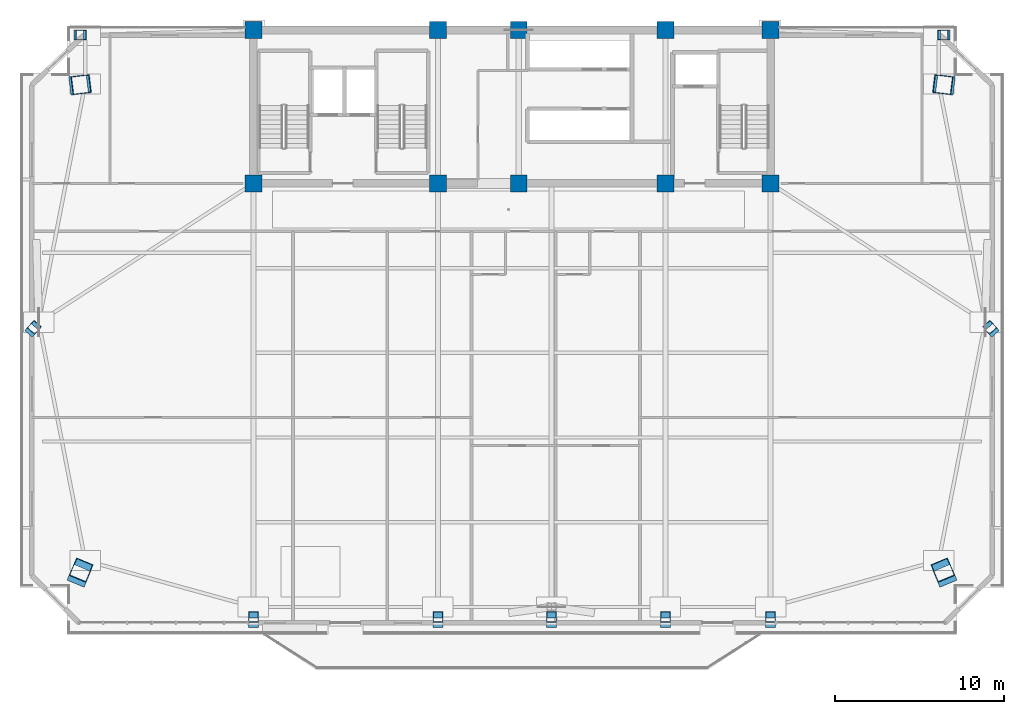
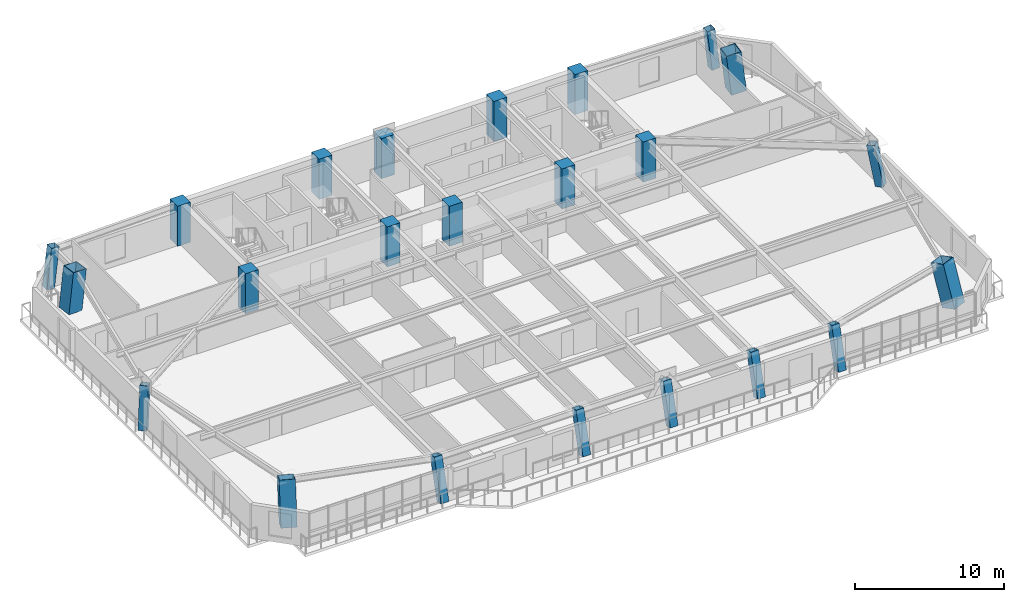
# One storey, part 1 of 16: 23 columns.
"""IFC4 building model written with IfcOpenShell, lengths in metres."""

import ifcopenshell
import ifcopenshell.guid

model = None  # the IFC model being written
_history = None  # IfcOwnerHistory: only IFC2X3 demands one
_inside = {}  # id of a spatial element -> (the spatial element, [elements in it])
_under = {}  # id of a project, library or spatial element -> (it, [spatial elements below it])
_declared = {}  # id of a project -> (the project, [libraries it declares])
_typed = {}  # id of a type object -> (the type object, [elements of that type])
_made_of = {}  # id of a material, layer set ... -> (it, [elements and type objects made of it])


def new_model(schema):
    """Start an empty IFC model of exactly this schema.

    Asked for "IFC4X3", IfcOpenShell would pick the latest addendum, in which some entities
    have other attributes; the version numbers below select the first issue.
    IFC2X3 requires an IfcOwnerHistory on every rooted entity: one is made here for all.
    """
    global model, _history
    if schema == "IFC4X3":
        model = ifcopenshell.file(schema_version=(4, 3, 0, 0))
    else:
        model = ifcopenshell.file(schema=schema)
    _inside.clear()
    _under.clear()
    _declared.clear()
    _typed.clear()
    _made_of.clear()
    _history = None
    if model.schema == "IFC2X3":
        org = make("IfcOrganization", Name="unknown")
        user = make(
            "IfcPersonAndOrganization",
            ThePerson=make("IfcPerson", FamilyName="unknown"),
            TheOrganization=org,
        )
        app = make(
            "IfcApplication",
            ApplicationDeveloper=org,
            Version="unknown",
            ApplicationFullName="unknown",
            ApplicationIdentifier="unknown",
        )
        _history = make(
            "IfcOwnerHistory",
            OwningUser=user,
            OwningApplication=app,
            ChangeAction="ADDED",
            CreationDate=0,
        )
    return model


def make(cls, **values):
    """One entity of the class cls with the attributes given. An attribute that is None is left unset."""
    return model.create_entity(
        cls, **{name: value for name, value in values.items() if value is not None}
    )


def rooted(cls, **values):
    """An entity with a GlobalId (a new one), such as an element, a storey or a relation."""
    return make(cls, GlobalId=ifcopenshell.guid.new(), OwnerHistory=_history, **values)


def si_unit(unit_type, name, prefix=None):
    """IfcSIUnit, for example si_unit("LENGTHUNIT", "METRE", prefix="MILLI")."""
    return make("IfcSIUnit", UnitType=unit_type, Prefix=prefix, Name=name)


def assignment(units):
    """IfcUnitAssignment: the units of a project."""
    return None if units is None else make("IfcUnitAssignment", Units=units)


def point(xyz):
    """IfcCartesianPoint."""
    return None if xyz is None else make("IfcCartesianPoint", Coordinates=xyz)


def direction(xyz):
    """IfcDirection."""
    return None if xyz is None else make("IfcDirection", DirectionRatios=xyz)


def frame(location, z_axis=None, x_axis=None):
    """IfcAxis2Placement3D, a coordinate frame: its origin and axes. An axis left out is left unset."""
    return make(
        "IfcAxis2Placement3D",
        Location=point(location),
        Axis=direction(z_axis),
        RefDirection=direction(x_axis),
    )


def frame_2d(location, x_axis=None):
    """IfcAxis2Placement2D, a coordinate frame in the plane: its origin and x axis."""
    return make(
        "IfcAxis2Placement2D", Location=point(location), RefDirection=direction(x_axis)
    )


def origin():
    """The frame at (0, 0, 0) with its axes left unset."""
    return frame((0.0, 0.0, 0.0))


def origin_2d():
    """The frame at (0, 0) in the plane with its x axis left unset."""
    return frame_2d((0.0, 0.0))


def place(relative_to, where):
    """IfcLocalPlacement: puts the frame where relative to a parent placement (None: the world)."""
    return make(
        "IfcLocalPlacement", PlacementRelTo=relative_to, RelativePlacement=where
    )


def context(
    kind, dimensions, precision=None, world=None, true_north=None, identifier=None
):
    """IfcGeometricRepresentationContext, for example the 3D "Model" context."""
    return make(
        "IfcGeometricRepresentationContext",
        ContextIdentifier=identifier,
        ContextType=kind,
        CoordinateSpaceDimension=dimensions,
        Precision=precision,
        WorldCoordinateSystem=world,
        TrueNorth=true_north,
    )


def subcontext(parent, identifier, kind, view, scale=None):
    """IfcGeometricRepresentationSubContext, for example "Body" below "Model"."""
    return make(
        "IfcGeometricRepresentationSubContext",
        ContextIdentifier=identifier,
        ContextType=kind,
        ParentContext=parent,
        TargetScale=scale,
        TargetView=view,
    )


def project(units=None, contexts=None):
    """IfcProject with its units and contexts."""
    return rooted(
        "IfcProject",
        Name="project",
        RepresentationContexts=contexts,
        UnitsInContext=assignment(units),
    )


def spatial(cls, under=None, at=None, **own):
    """A site, building, storey or space (cls), placed at a placement, below another one or the project."""
    s = rooted(cls, ObjectPlacement=at, **own)
    if under is not None:
        _under.setdefault(under.id(), (under, []))[1].append(s)
    return s


def profile(cls, at=None, kind="AREA", **sizes):
    """A parametric profile (cls). Its sizes go by their IFC names, for example OverallWidth=200.0."""
    return make(cls, ProfileType=kind, Position=at, **sizes)


def rectangle(**sizes):
    """IfcRectangleProfileDef."""
    return profile("IfcRectangleProfileDef", **sizes)


def hollow_rectangle(**sizes):
    """IfcRectangleHollowProfileDef."""
    return profile("IfcRectangleHollowProfileDef", **sizes)


def extrude(swept, where, along, depth):
    """IfcExtrudedAreaSolid: the profile swept, set in the frame where, extruded along a direction by depth."""
    return make(
        "IfcExtrudedAreaSolid",
        SweptArea=swept,
        Position=where,
        ExtrudedDirection=direction(along),
        Depth=depth,
    )


def shape(context_of_items, identifier, shape_type, items):
    """IfcShapeRepresentation: the items that make up one representation, for example the "Body"."""
    return make(
        "IfcShapeRepresentation",
        ContextOfItems=context_of_items,
        RepresentationIdentifier=identifier,
        RepresentationType=shape_type,
        Items=items,
    )


def source(mapping_origin, context_of_items, identifier, shape_type, items):
    """IfcRepresentationMap: a shape defined once, which mapped items show again and again."""
    return make(
        "IfcRepresentationMap",
        MappingOrigin=mapping_origin,
        MappedRepresentation=shape(context_of_items, identifier, shape_type, items),
    )


def transform(
    local_origin,
    x_axis=None,
    y_axis=None,
    z_axis=None,
    scale=None,
    scale2=None,
    scale3=None,
    uniform=True,
):
    """IfcCartesianTransformationOperator3D, or its non-uniform kind. x_axis, y_axis, z_axis: its Axis1, 2, 3."""
    if uniform:
        return make(
            "IfcCartesianTransformationOperator3D",
            Axis1=direction(x_axis),
            Axis2=direction(y_axis),
            LocalOrigin=point(local_origin),
            Scale=scale,
            Axis3=direction(z_axis),
        )
    return make(
        "IfcCartesianTransformationOperator3DnonUniform",
        Axis1=direction(x_axis),
        Axis2=direction(y_axis),
        LocalOrigin=point(local_origin),
        Scale=scale,
        Axis3=direction(z_axis),
        Scale2=scale2,
        Scale3=scale3,
    )


def mapped(mapping_source, mapping_target):
    """IfcMappedItem: shows the shape of a source again, moved by a transform."""
    return make(
        "IfcMappedItem", MappingSource=mapping_source, MappingTarget=mapping_target
    )


def material(Name=None, Category=None):
    """IfcMaterial."""
    return make("IfcMaterial", Name=Name, Category=Category)


def material_profile(
    of_material, cross_section, Name=None, Category=None, Priority=None
):
    """IfcMaterialProfile: a cross section and its material."""
    return make(
        "IfcMaterialProfile",
        Name=Name,
        Material=of_material,
        Profile=cross_section,
        Priority=Priority,
        Category=Category,
    )


def profile_set(profiles, Name=None, composite=None):
    """IfcMaterialProfileSet."""
    return make(
        "IfcMaterialProfileSet",
        Name=Name,
        MaterialProfiles=profiles,
        CompositeProfile=composite,
    )


def made_of(thing, what):
    """Note that an element or type object is made of a material, layer set ...; save() writes the relation."""
    if what is not None:
        _made_of.setdefault(what.id(), (what, []))[1].append(thing)
    return thing


def type_object(cls, material=None, **own):
    """A type object (cls), such as IfcWallType, which elements share."""
    return made_of(rooted(cls, **own), material)


def element(
    cls,
    number,
    at=None,
    inside=None,
    cuts=None,
    type_object=None,
    material=None,
    context=None,
    identifier="Body",
    shape_type=None,
    held_by="IfcProductDefinitionShape",
    body=None,
    shapes=None,
    **own,
):
    """One element of the class cls, such as IfcWall. Its Tag is "e" and its number.

    at: its placement. inside: the storey or other place that contains it. cuts: it is an
    opening in that element (IfcRelVoidsElement). A single representation is given by context,
    identifier, shape_type and body (its items); several are given by shapes. held_by: the class
    of the entity that holds the representations. save() writes the other relations.
    """
    e = rooted(cls, Tag="e%d" % number, ObjectPlacement=at, **own)
    if body is not None:
        shapes = [shape(context, identifier, shape_type, body)]
    if shapes is not None:
        e.Representation = make(held_by, Representations=shapes)
    if inside is not None:
        _inside.setdefault(inside.id(), (inside, []))[1].append(e)
    if cuts is not None:
        rooted(
            "IfcRelVoidsElement", RelatingBuildingElement=cuts, RelatedOpeningElement=e
        )
    if type_object is not None:
        _typed.setdefault(type_object.id(), (type_object, []))[1].append(e)
    return made_of(e, material)


def aggregate(whole, parts):
    """IfcRelAggregates: a whole, such as a stair, and the parts it consists of."""
    return rooted("IfcRelAggregates", RelatingObject=whole, RelatedObjects=parts)


def save(model, path):
    """Write the relations noted so far, then the file.

    IfcRelAggregates (storeys below a building ...), IfcRelContainedInSpatialStructure (elements
    in a storey), IfcRelDefinesByType, IfcRelAssociatesMaterial and IfcRelDeclares: one each for
    every whole, place, type object, material and project.
    """
    for whole, parts in _under.values():
        aggregate(whole, parts)
    for where, things in _inside.values():
        rooted(
            "IfcRelContainedInSpatialStructure",
            RelatedElements=things,
            RelatingStructure=where,
        )
    for kind, things in _typed.values():
        rooted("IfcRelDefinesByType", RelatedObjects=things, RelatingType=kind)
    for what, things in _made_of.values():
        rooted("IfcRelAssociatesMaterial", RelatedObjects=things, RelatingMaterial=what)
    for by, libraries in _declared.values():
        rooted("IfcRelDeclares", RelatingContext=by, RelatedDefinitions=libraries)
    model.write(path)


model = new_model("IFC4")

# Units and contexts
model_context = context("Model", 3, precision=1e-05, world=origin(), true_north=direction((0.0, 1.0)))
body_context = subcontext(model_context, "Body", "Model", "MODEL_VIEW")
ifc_project = project(units=[si_unit("LENGTHUNIT", "METRE"), si_unit("AREAUNIT", "SQUARE_METRE"), si_unit("VOLUMEUNIT", "CUBIC_METRE"), si_unit("PLANEANGLEUNIT", "RADIAN"), si_unit("MASSUNIT", "GRAM", prefix="KILO")], contexts=[model_context])

# Site, building, storey
site_placement = place(None, origin())
site = spatial("IfcSite", under=ifc_project, at=site_placement, CompositionType="ELEMENT")
building_placement = place(site_placement, origin())
building = spatial("IfcBuilding", under=site, at=building_placement, Name="Giltprow Tower", CompositionType="ELEMENT")
storey_placement = place(building_placement, frame((0.0, 0.0, 209.699951171875)))
storey = spatial("IfcBuildingStorey", under=building, at=storey_placement, Name="L53", CompositionType="ELEMENT", Elevation=209.699951171875)

# Columns
ifc_material_1 = material(Name="Concrete C50", Category="concrete")
ifc_material_profile_1 = material_profile(ifc_material_1, rectangle(XDim=1.0, YDim=1.0, at=origin_2d()), Name="RC 1000x1000")
ifc_profile_set_1 = profile_set([ifc_material_profile_1], Name="Concrete C50")
column_type_1 = type_object("IfcColumnType", Name="PIL-RC-1000-C50", PredefinedType="PILASTER", material=ifc_profile_set_1)
shared_shape_1 = source(origin(), body_context, "Body", "SweptSolid", [
    extrude(rectangle(XDim=1.0, YDim=1.0, at=origin_2d()), origin(), (0.0, 0.0, 1.0), 3.27001953125),
])
for number, where, z_axis, x_axis, name in (
    (1, (19.85009765625, 37.449951171875, 0.0), (0.0, 0.0, 1.0), (1.0, 0.0, 0.0), "L53 Core Boundary Pilaster 1-1"),
    (2, (19.85009765625, 46.550048828125, 0.0), (0.0, 0.0, 1.0), (1.0, 0.0, 0.0), "L53 Core Boundary Pilaster 1-2"),
    (3, (30.800048828125, 37.449951171875, 0.0), (0.0, 0.0, 1.0), (1.0, 0.0, 0.0), "L53 Core Boundary Pilaster 2-1"),
    (4, (30.800048828125, 46.550048828125, 0.0), (0.0, 0.0, 1.0), (1.0, 0.0, 0.0), "L53 Core Boundary Pilaster 2-2"),
    (5, (35.60009765625, 37.449951171875, 0.0), (0.0, 0.0, 1.0), (1.0, 0.0, 0.0), "L53 Core Boundary Pilaster 3-1"),
    (6, (35.60009765625, 46.550048828125, 0.0), (0.0, 0.0, 1.0), (1.0, 0.0, 0.0), "L53 Core Boundary Pilaster 3-2"),
    (7, (44.300048828125, 37.449951171875, 0.0), (0.0, 0.0, 1.0), (1.0, 0.0, 0.0), "L53 Core Boundary Pilaster 4-1"),
    (8, (44.300048828125, 46.550048828125, 0.0), (0.0, 0.0, 1.0), (1.0, 0.0, 0.0), "L53 Core Boundary Pilaster 4-2"),
    (9, (50.550048828125, 37.449951171875, 0.0), (0.0, 0.0, 1.0), (1.0, 0.0, 0.0), "L53 Core Boundary Pilaster 5-1"),
    (10, (50.550048828125, 46.550048828125, 0.0), (0.0, 0.0, 1.0), (1.0, 0.0, 0.0), "L53 Core Boundary Pilaster 5-2"),
):
    element("IfcColumn", number, at=place(storey_placement, frame(where, z_axis=z_axis, x_axis=x_axis)), inside=storey, type_object=column_type_1, Name=name, PredefinedType="PILASTER", context=body_context, shape_type="MappedRepresentation", body=[
        mapped(shared_shape_1, transform((0.0, 0.0, 0.0), x_axis=(1.0, 0.0, 0.0), y_axis=(0.0, 1.0, 0.0), z_axis=(0.0, 0.0, 1.0), scale=1.0)),
    ])
ifc_material_2 = material(Name="Structural steel Q420GJC", Category="steel")
ifc_material_profile_2 = material_profile(ifc_material_2, hollow_rectangle(XDim=1.10009765625, YDim=1.10009765625, WallThickness=0.050048828125, at=origin_2d()), Name="BOX 1100x1100x50")
ifc_profile_set_2 = profile_set([ifc_material_profile_2], Name="Structural steel Q420GJC")
column_type_2 = type_object("IfcColumnType", Name="COL-BOX-1100x1100x50", PredefinedType="COLUMN", material=ifc_profile_set_2)
shared_shape_2 = source(origin(), body_context, "Body", "SweptSolid", [
    extrude(hollow_rectangle(XDim=1.10009765625, YDim=1.10009765625, WallThickness=0.050048828125, at=origin_2d()), origin(), (0.0, 0.0, 1.0), 3.407958984375),
])
for number, where, z_axis, x_axis, name in (
    (11, (9.5029296875, 14.18603515625, 0.0), (0.108316842256, 0.259974749039, 0.959521021941), (-0.923084448442, 0.384597323242, 0.0), "L53 Mega-Column MC_SW"),
    (12, (60.89794921875, 14.18603515625, 0.0), (-0.108529227713, 0.259968691334, 0.959498664021), (-0.922813390135, -0.385247254355, 0.0), "L53 Mega-Column MC_SE"),
):
    element("IfcColumn", number, at=place(storey_placement, frame(where, z_axis=z_axis, x_axis=x_axis)), inside=storey, type_object=column_type_2, Name=name, PredefinedType="COLUMN", context=body_context, shape_type="MappedRepresentation", body=[
        mapped(shared_shape_2, transform((0.0, 0.0, 0.0), x_axis=(1.0, 0.0, 0.0), y_axis=(0.0, 1.0, 0.0), z_axis=(0.0, 0.0, 1.0), scale=1.0)),
    ])
shared_shape_3 = source(origin(), body_context, "Body", "SweptSolid", [
    extrude(hollow_rectangle(XDim=1.10009765625, YDim=1.10009765625, WallThickness=0.050048828125, at=origin_2d()), origin(), (0.0, 0.0, 1.0), 3.291015625),
])
column_1_placement = place(storey_placement, frame((9.5029296875, 43.300048828125, 0.0), z_axis=(0.112162985844, 0.013946191362, 0.993591952641), x_axis=(-0.123388483821, 0.992358444344, 0.0)))
element("IfcColumn", 13, at=column_1_placement, inside=storey, type_object=column_type_2, Name="L53 Mega-Column MC_NW", PredefinedType="COLUMN", context=body_context, shape_type="MappedRepresentation", body=[
    mapped(shared_shape_3, transform((0.0, 0.0, 0.0), x_axis=(1.0, 0.0, 0.0), y_axis=(0.0, 1.0, 0.0), z_axis=(0.0, 0.0, 1.0), scale=1.0)),
])
shared_shape_4 = source(origin(), body_context, "Body", "SweptSolid", [
    extrude(hollow_rectangle(XDim=1.10009765625, YDim=1.10009765625, WallThickness=0.050048828125, at=origin_2d()), origin(), (0.0, 0.0, 1.0), 3.291259765625),
])
column_2_placement = place(storey_placement, frame((60.89794921875, 43.300048828125, 0.0), z_axis=(-0.112382723475, 0.013945842913, 0.993567127541), x_axis=(-0.123147859225, -0.992388333652, 0.0)))
element("IfcColumn", 14, at=column_2_placement, inside=storey, type_object=column_type_2, Name="L53 Mega-Column MC_NE", PredefinedType="COLUMN", context=body_context, shape_type="MappedRepresentation", body=[
    mapped(shared_shape_4, transform((0.0, 0.0, 0.0), x_axis=(1.0, 0.0, 0.0), y_axis=(0.0, 1.0, 0.0), z_axis=(0.0, 0.0, 1.0), scale=1.0)),
])
ifc_material_3 = material(Name="Structural steel Q355B", Category="steel")
ifc_material_profile_3 = material_profile(ifc_material_3, hollow_rectangle(XDim=0.60009765625, YDim=0.60009765625, WallThickness=0.028076171875, at=origin_2d()), Name="BOX 600x600x28")
ifc_profile_set_3 = profile_set([ifc_material_profile_3], Name="Structural steel Q355B")
column_type_3 = type_object("IfcColumnType", Name="COL-BOX-600x600x28", PredefinedType="COLUMN", material=ifc_profile_set_3)
shared_shape_5 = source(origin(), body_context, "Body", "SweptSolid", [
    extrude(hollow_rectangle(XDim=0.60009765625, YDim=0.60009765625, WallThickness=0.028076171875, at=origin_2d()), origin(), (0.0, 0.0, 1.0), 3.400390625),
])
for number, where, z_axis, x_axis, name in (
    (15, (19.85009765625, 11.385986328125, 0.0), (0.0, 0.274133127807, 0.961691753234), (-1.0, 0.0, 0.0), "L53 Perimeter Column S1"),
    (16, (30.800048828125, 11.385986328125, 0.0), (0.0, 0.274133127807, 0.961691753234), (-1.0, 0.0, 0.0), "L53 Perimeter Column S2"),
    (17, (37.550048828125, 11.385986328125, 0.0), (0.0, 0.274133127807, 0.961691753234), (-1.0, 0.0, 0.0), "L53 Perimeter Column S_MID"),
    (18, (44.300048828125, 11.385986328125, 0.0), (0.0, 0.274133127807, 0.961691753234), (-1.0, 0.0, 0.0), "L53 Perimeter Column S3"),
    (19, (50.550048828125, 11.385986328125, 0.0), (0.0, 0.274133127807, 0.961691753234), (-1.0, 0.0, 0.0), "L53 Perimeter Column S4"),
):
    element("IfcColumn", number, at=place(storey_placement, frame(where, z_axis=z_axis, x_axis=x_axis)), inside=storey, type_object=column_type_3, Name=name, PredefinedType="COLUMN", context=body_context, shape_type="MappedRepresentation", body=[
        mapped(shared_shape_5, transform((0.0, 0.0, 0.0), x_axis=(1.0, 0.0, 0.0), y_axis=(0.0, 1.0, 0.0), z_axis=(0.0, 0.0, 1.0), scale=1.0)),
    ])
shared_shape_6 = source(origin(), body_context, "Body", "SweptSolid", [
    extrude(hollow_rectangle(XDim=0.60009765625, YDim=0.60009765625, WallThickness=0.028076171875, at=origin_2d()), origin(), (0.0, 0.0, 1.0), 3.3291015625),
])
for number, where, z_axis, x_axis, name in (
    (20, (6.702880859375, 28.742919921875, 0.0), (0.124672330917, 0.139999693953, 0.982271294295), (-0.746804669772, 0.665043446104, 0.0), "L53 Perimeter Column W_MID"),
    (21, (63.697998046875, 28.742919921875, 0.0), (-0.124961102181, 0.139994568113, 0.982235330173), (-0.746027795602, -0.665914805504, 0.0), "L53 Perimeter Column E_MID"),
):
    element("IfcColumn", number, at=place(storey_placement, frame(where, z_axis=z_axis, x_axis=x_axis)), inside=storey, type_object=column_type_3, Name=name, PredefinedType="COLUMN", context=body_context, shape_type="MappedRepresentation", body=[
        mapped(shared_shape_6, transform((0.0, 0.0, 0.0), x_axis=(1.0, 0.0, 0.0), y_axis=(0.0, 1.0, 0.0), z_axis=(0.0, 0.0, 1.0), scale=1.0)),
    ])
shared_shape_7 = source(origin(), body_context, "Body", "SweptSolid", [
    extrude(hollow_rectangle(XDim=0.60009765625, YDim=0.60009765625, WallThickness=0.028076171875, at=origin_2d()), origin(), (0.0, 0.0, 1.0), 3.290771484375),
])
for number, where, z_axis, x_axis, name in (
    (22, (9.5029296875, 46.25, 0.0), (0.112173895076, 0.0, 0.993688591694), (0.0, 1.0, 0.0), "L53 Perimeter Column N_W"),
    (23, (60.89794921875, 46.25, 0.0), (-0.112393653533, 0.0, 0.99366375935), (0.0, -1.0, 0.0), "L53 Perimeter Column N_E"),
):
    element("IfcColumn", number, at=place(storey_placement, frame(where, z_axis=z_axis, x_axis=x_axis)), inside=storey, type_object=column_type_3, Name=name, PredefinedType="COLUMN", context=body_context, shape_type="MappedRepresentation", body=[
        mapped(shared_shape_7, transform((0.0, 0.0, 0.0), x_axis=(1.0, 0.0, 0.0), y_axis=(0.0, 1.0, 0.0), z_axis=(0.0, 0.0, 1.0), scale=1.0)),
    ])

save(model, "model.ifc")
